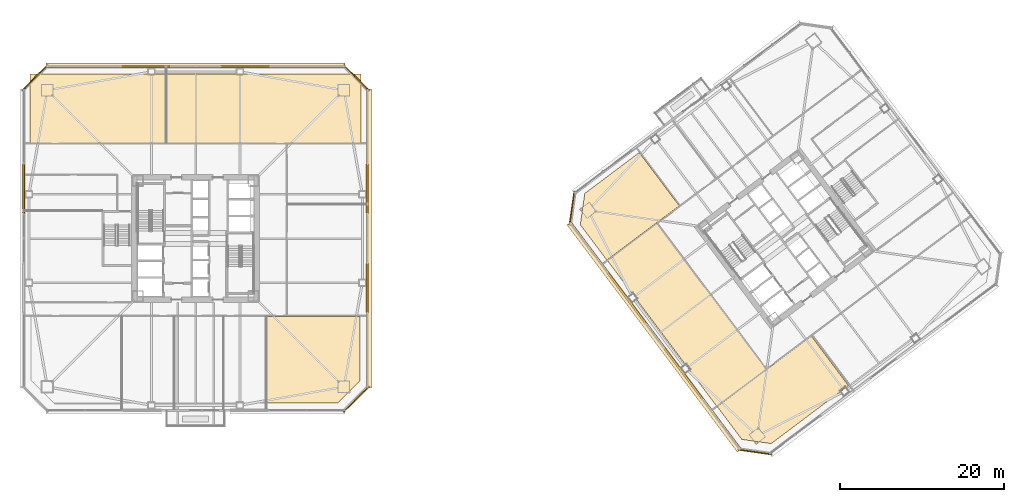
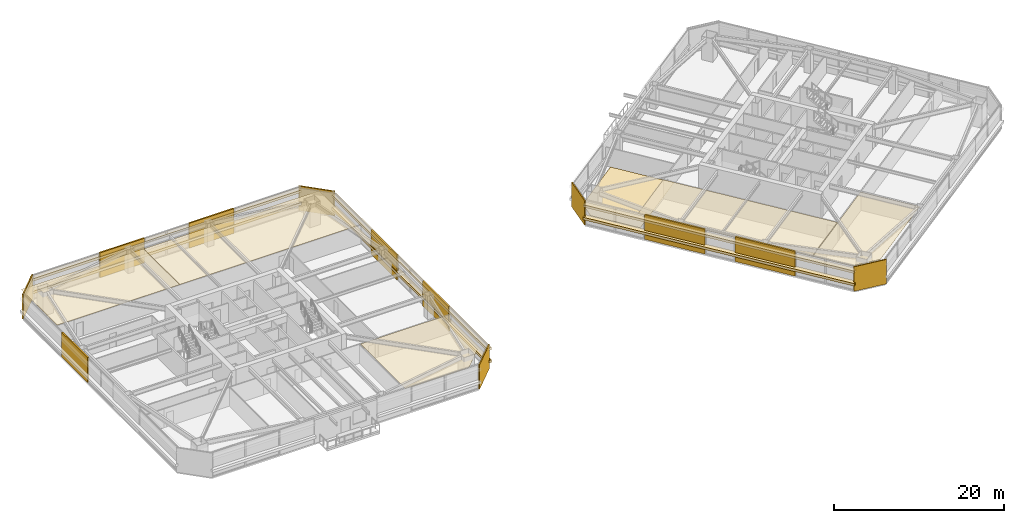
# One storey, part 40 of 44: 24 coverings.
"""IFC4 building model written with IfcOpenShell, lengths in metres."""

from ifc_helpers import new_model, si_unit, direction, frame, origin, origin_2d, place, context, subcontext, project, spatial, polyline, rectangle, outline, extrude, material, layer, layer_set, type_object, element, save


model = new_model("IFC4")

# Units and contexts
model_context = context("Model", 3, precision=1e-05, world=origin(), true_north=direction((0.0, 1.0)))
body_context = subcontext(model_context, "Body", "Model", "MODEL_VIEW")
ifc_project = project(units=[si_unit("LENGTHUNIT", "METRE"), si_unit("AREAUNIT", "SQUARE_METRE"), si_unit("VOLUMEUNIT", "CUBIC_METRE"), si_unit("PLANEANGLEUNIT", "RADIAN"), si_unit("MASSUNIT", "GRAM", prefix="KILO")], contexts=[model_context])

# Site, building, storey
site_placement = place(None, origin())
site = spatial("IfcSite", under=ifc_project, at=site_placement, CompositionType="ELEMENT")
building_placement = place(site_placement, origin())
building = spatial("IfcBuilding", under=site, at=building_placement, Name="Tashvorn Skyway Center", CompositionType="ELEMENT")
storey_placement = place(building_placement, frame((0.0, 0.0, 92.050048828125)))
storey = spatial("IfcBuildingStorey", under=building, at=storey_placement, Name="L24", CompositionType="ELEMENT", Elevation=92.050048828125)

# Coverings
ifc_material_1 = material(Name="Precast concrete C40/50", Category="concrete")
ifc_layer_1 = layer(ifc_material_1, 0.199951171875)
ifc_layer_set_1 = layer_set([ifc_layer_1], Name="Precast concrete C40/50")
covering_type_1 = type_object("IfcCoveringType", Name="COV-BRACE-CLAD", PredefinedType="CLADDING", material=ifc_layer_set_1)
for number, where, z_axis, x_axis, name in (
    (1, (21.02001953125, 38.06005859375, 0.0), (0.0, 0.0, 1.0), (0.0, 1.0, 0.0), "Tower 1 L24 West Unitised Curtain Wall Mega-Brace Cladding Band 2"),
    (2, (35.93994140625, 52.97998046875, 0.0), (0.0, 0.0, 1.0), (1.0, 0.0, 0.0), "Tower 1 L24 North Unitised Curtain Wall Mega-Brace Cladding Band 1"),
    (3, (48.06005859375, 52.97998046875, 0.0), (0.0, 0.0, 1.0), (1.0, 0.0, 0.0), "Tower 1 L24 North Unitised Curtain Wall Mega-Brace Cladding Band 2"),
    (4, (62.97998046875, 38.06005859375, 0.0), (0.0, 0.0, 1.0), (0.0, -1.0, 0.0), "Tower 1 L24 East Unitised Curtain Wall Mega-Brace Cladding Band 1"),
    (5, (62.97998046875, 25.93994140625, 0.0), (0.0, 0.0, 1.0), (0.0, -1.0, 0.0), "Tower 1 L24 East Unitised Curtain Wall Mega-Brace Cladding Band 2"),
):
    element("IfcCovering", number, at=place(storey_placement, frame(where, z_axis=z_axis, x_axis=x_axis)), inside=storey, type_object=covering_type_1, Name=name, PredefinedType="CLADDING", context=body_context, shape_type="SweptSolid", body=[
        extrude(rectangle(XDim=6.06005859375, YDim=0.199951171875, at=origin_2d()), origin(), (0.0, 0.0, 1.0), 3.550048828125),
    ])
for number, where, z_axis, x_axis, name in (
    (6, (101.552001953125, 15.464111328125, 0.0), (0.0, 0.0, 1.0), (-0.600000004945, 0.799999996291, 0.0), "Tower 2 L24 West Unitised Curtain Wall Mega-Brace Cladding Band 1"),
    (7, (94.639892578125, 24.679931640625, 0.0), (0.0, 0.0, 1.0), (-0.600000004945, 0.799999996291, 0.0), "Tower 2 L24 West Unitised Curtain Wall Mega-Brace Cladding Band 2"),
):
    element("IfcCovering", number, at=place(storey_placement, frame(where, z_axis=z_axis, x_axis=x_axis)), inside=storey, type_object=covering_type_1, Name=name, PredefinedType="CLADDING", context=body_context, shape_type="SweptSolid", body=[
        extrude(rectangle(XDim=7.679931640625, YDim=0.199951171875, at=origin_2d()), origin(), (0.0, 0.0, 1.0), 3.550048828125),
    ])
ifc_material_2 = material(Name="Mineral-fibre acoustic ceiling tile on suspended grid")
ifc_layer_2 = layer(ifc_material_2, 0.02001953125)
ifc_layer_set_2 = layer_set([ifc_layer_2], Name="Mineral-fibre acoustic ceiling tile on suspended grid")
covering_type_2 = type_object("IfcCoveringType", Name="COV-CEIL-20", PredefinedType="CEILING", material=ifc_layer_set_2)
covering_1_placement = place(storey_placement, frame((0.0, 0.0, 2.682861328125)))
element("IfcCovering", 8, at=covering_1_placement, inside=storey, type_object=covering_type_2, Name="Tower 1 L24 Executive Study Lounge Acoustic Ceiling", PredefinedType="CEILING", context=body_context, shape_type="SweptSolid", body=[
    extrude(outline(polyline([(21.800048828125, 43.6201171875), (38.39990234375, 43.6201171875), (38.39990234375, 52.10009765625), (21.800048828125, 52.10009765625), (21.800048828125, 43.6201171875)])), origin(), (0.0, 0.0, 1.0), 0.02001953125),
])
covering_2_placement = place(storey_placement, frame((0.0, 0.0, 2.682861328125)))
element("IfcCovering", 9, at=covering_2_placement, inside=storey, type_object=covering_type_2, Name="Tower 1 L24 Executive Study Lounge Acoustic Ceiling", PredefinedType="CEILING", context=body_context, shape_type="SweptSolid", body=[
    extrude(outline(polyline([(38.39990234375, 43.6201171875), (62.199951171875, 43.6201171875), (62.199951171875, 52.10009765625), (38.39990234375, 52.10009765625), (38.39990234375, 43.6201171875)])), origin(), (0.0, 0.0, 1.0), 0.02001953125),
])
covering_3_placement = place(storey_placement, frame((0.0, 0.0, 2.682861328125)))
element("IfcCovering", 10, at=covering_3_placement, inside=storey, type_object=covering_type_2, Name="Tower 1 L24 Open Plan Office Acoustic Ceiling", PredefinedType="CEILING", context=body_context, shape_type="SweptSolid", body=[
    extrude(outline(polyline([(50.719970703125, 11.919921875), (50.719970703125, 22.510009765625), (62.080078125, 22.510009765625), (62.080078125, 14.679931640625), (59.320068359375, 11.919921875), (50.719970703125, 11.919921875)])), origin(), (0.0, 0.0, 1.0), 0.02001953125),
])
covering_4_placement = place(storey_placement, frame((0.0, 0.0, 2.682861328125)))
element("IfcCovering", 11, at=covering_4_placement, inside=storey, type_object=covering_type_2, Name="Tower 2 L24 Gallery Showroom Acoustic Ceiling", PredefinedType="CEILING", context=body_context, shape_type="SweptSolid", body=[
    extrude(outline(polyline([(105.662109375, 11.48388671875), (117.14990234375, 20.10009765625), (121.69189453125, 14.0439453125), (112.251953125, 6.964111328125), (108.66796875, 7.47607421875), (105.662109375, 11.48388671875)])), origin(), (0.0, 0.0, 1.0), 0.02001953125),
])
covering_5_placement = place(storey_placement, frame((0.0, 0.0, 2.682861328125)))
element("IfcCovering", 12, at=covering_5_placement, inside=storey, type_object=covering_type_2, Name="Tower 2 L24 Collaborative Studio Acoustic Ceiling", PredefinedType="CEILING", context=body_context, shape_type="SweptSolid", body=[
    extrude(outline(polyline([(105.6220703125, 11.50390625), (111.677978515625, 16.0458984375), (98.31591796875, 33.862060546875), (92.260009765625, 29.320068359375), (105.6220703125, 11.50390625)])), origin(), (0.0, 0.0, 1.0), 0.02001953125),
])
ifc_material_3 = material(Name="Polished Mojave desert-aggregate terrazzo and cover plate")
ifc_layer_3 = layer(ifc_material_3, 0.0400390625)
ifc_layer_set_3 = layer_set([ifc_layer_3], Name="Polished Mojave desert-aggregate terrazzo and cover plate")
covering_type_3 = type_object("IfcCoveringType", Name="COV-FLR-40", PredefinedType="FLOORING", material=ifc_layer_set_3)
covering_6_placement = place(storey_placement, origin())
element("IfcCovering", 13, at=covering_6_placement, inside=storey, type_object=covering_type_3, Name="Tower 2 L24 Gallery Showroom Finish Flooring", PredefinedType="FLOORING", context=body_context, shape_type="SweptSolid", body=[
    extrude(outline(polyline([(101.028076171875, 35.99609375), (92.196044921875, 29.3720703125), (88.9560546875, 33.69189453125), (89.5, 37.5), (96.156005859375, 42.491943359375), (101.028076171875, 35.99609375)])), origin(), (0.0, 0.0, 1.0), 0.0400390625),
])
ifc_material_4 = material(Name="Perforated ceramic-coated bronze aluminium solar screen", Category="aluminium")
ifc_layer_4 = layer(ifc_material_4, 0.85009765625)
ifc_layer_set_4 = layer_set([ifc_layer_4], Name="Perforated ceramic-coated bronze aluminium solar screen")
covering_type_4 = type_object("IfcCoveringType", Name="COV-SOLAR-BAND", PredefinedType="CLADDING", material=ifc_layer_set_4)
for number, where, z_axis, x_axis, name in (
    (14, (42.0, 53.1201171875, 0.919921875), (0.0, 0.0, 1.0), (1.0, 0.0, 0.0), "L24 Perforated Ceramic-Metal Solar Screen Louvre Band North 1"),
    (15, (42.0, 53.1201171875, 2.7197265625), (0.0, 0.0, 1.0), (1.0, 0.0, 0.0), "L24 Perforated Ceramic-Metal Solar Screen Louvre Band North 2"),
    (16, (63.1201171875, 32.0, 0.919921875), (0.0, 0.0, 1.0), (0.0, -1.0, 0.0), "L24 Perforated Ceramic-Metal Solar Screen Louvre Band East 1"),
    (17, (63.1201171875, 32.0, 2.7197265625), (0.0, 0.0, 1.0), (0.0, -1.0, 0.0), "L24 Perforated Ceramic-Metal Solar Screen Louvre Band East 2"),
):
    element("IfcCovering", number, at=place(storey_placement, frame(where, z_axis=z_axis, x_axis=x_axis)), inside=storey, type_object=covering_type_4, Name=name, PredefinedType="CLADDING", context=body_context, shape_type="SweptSolid", body=[
        extrude(rectangle(XDim=36.47998046875, YDim=0.639892578125, at=origin_2d()), origin(), (0.0, 0.0, 1.0), 0.360107421875),
    ])
for number, where, z_axis, x_axis, name in (
    (18, (97.98388671875, 19.988037109375, 0.919921875), (0.0, 0.0, 1.0), (-0.600000004945, 0.799999996291, 0.0), "L24 Perforated Ceramic-Metal Solar Screen Louvre Band West 1"),
    (19, (97.98388671875, 19.988037109375, 2.7197265625), (0.0, 0.0, 1.0), (-0.600000004945, 0.799999996291, 0.0), "L24 Perforated Ceramic-Metal Solar Screen Louvre Band West 2"),
):
    element("IfcCovering", number, at=place(storey_placement, frame(where, z_axis=z_axis, x_axis=x_axis)), inside=storey, type_object=covering_type_4, Name=name, PredefinedType="CLADDING", context=body_context, shape_type="SweptSolid", body=[
        extrude(rectangle(XDim=34.679931640625, YDim=0.639892578125, at=origin_2d()), origin(), (0.0, 0.0, 1.0), 0.360107421875),
    ])
ifc_layer_5 = layer(ifc_material_1, 0.35009765625)
ifc_layer_set_5 = layer_set([ifc_layer_5], Name="Precast concrete C40/50")
covering_type_5 = type_object("IfcCoveringType", Name="COV-STONE-TRIM", PredefinedType="CLADDING", material=ifc_layer_set_5)
for number, where, z_axis, x_axis, name in (
    (20, (22.3798828125, 51.6201171875, 0.02001953125), (0.0, 0.0, 1.0), (-0.707106781187, -0.707106781187, 0.0), "Tower 1 L24 NW Mojave Limestone Corner Quoin"),
    (21, (61.6201171875, 51.6201171875, 0.02001953125), (0.0, 0.0, 1.0), (0.707106781187, -0.707106781187, 0.0), "Tower 1 L24 NE Mojave Limestone Corner Quoin"),
    (22, (61.6201171875, 12.3798828125, 0.02001953125), (0.0, 0.0, 1.0), (0.707106781187, 0.707106781187, 0.0), "Tower 1 L24 SE Mojave Limestone Corner Quoin"),
):
    element("IfcCovering", number, at=place(storey_placement, frame(where, z_axis=z_axis, x_axis=x_axis)), inside=storey, type_object=covering_type_5, Name=name, PredefinedType="CLADDING", context=body_context, shape_type="SweptSolid", body=[
        extrude(rectangle(XDim=4.402587890625, YDim=0.139892578125, at=origin_2d()), origin(), (0.0, 0.0, 1.0), 3.510009765625),
    ])
for number, where, z_axis, x_axis, name in (
    (23, (110.27587890625, 5.931884765625, 0.02001953125), (0.0, 0.0, 1.0), (-0.989949494535, 0.141421350118, 0.0), "Tower 2 L24 SW Mojave Limestone Corner Quoin"),
    (24, (87.931884765625, 35.72412109375, 0.02001953125), (0.0, 0.0, 1.0), (-0.141421350118, -0.989949494535, 0.0), "Tower 2 L24 NW Mojave Limestone Corner Quoin"),
):
    element("IfcCovering", number, at=place(storey_placement, frame(where, z_axis=z_axis, x_axis=x_axis)), inside=storey, type_object=covering_type_5, Name=name, PredefinedType="CLADDING", context=body_context, shape_type="SweptSolid", body=[
        extrude(rectangle(XDim=4.119873046875, YDim=0.139892578125, at=origin_2d()), origin(), (0.0, 0.0, 1.0), 3.510009765625),
    ])

save(model, "model.ifc")
